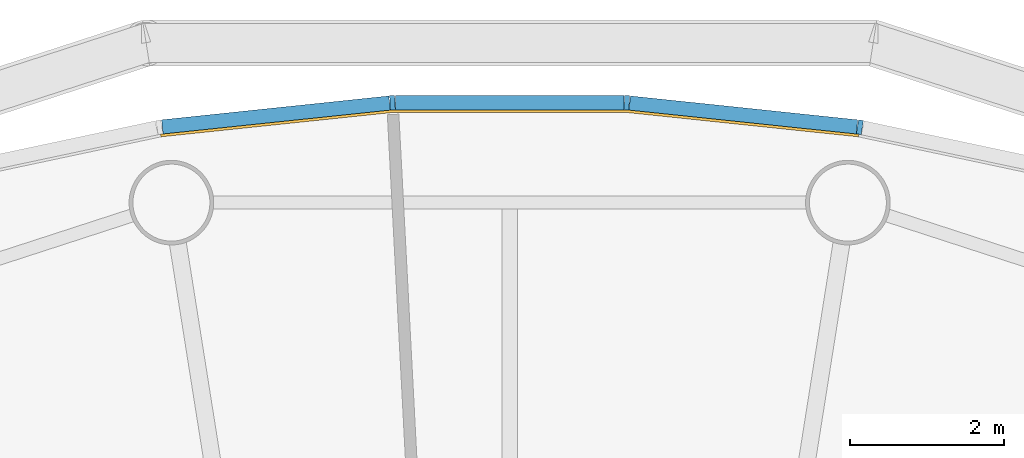
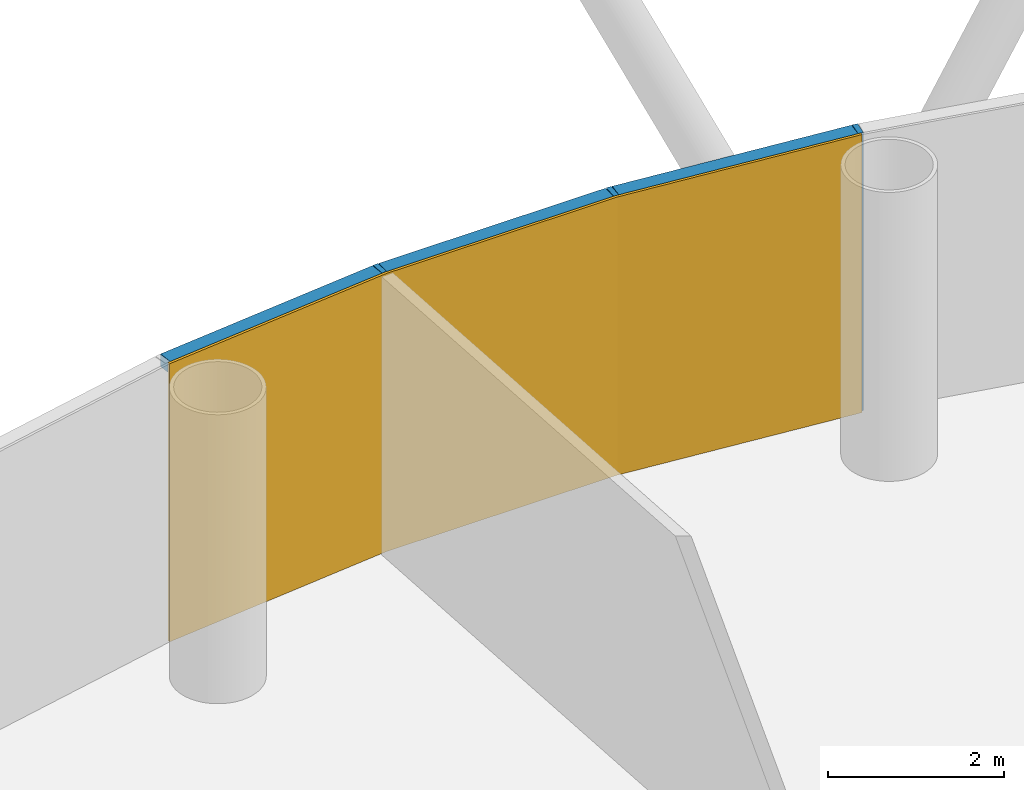
# One storey, part 11 of 13: 6 members, 1 curtain wall.
"""IFC4 building model written with IfcOpenShell, lengths in metres."""

from ifc_helpers import new_model, si_unit, direction, frame, origin, origin_2d, place, context, subcontext, project, spatial, polyline, rectangle, outline, extrude, material, layer, layer_set, material_profile, profile_set, type_object, element, aggregate, save


model = new_model("IFC4")

# Units and contexts
model_context = context("Model", 3, precision=1e-05, world=origin(), true_north=direction((0.0, 1.0)))
body_context = subcontext(model_context, "Body", "Model", "MODEL_VIEW")
ifc_project = project(units=[si_unit("LENGTHUNIT", "METRE"), si_unit("AREAUNIT", "SQUARE_METRE"), si_unit("VOLUMEUNIT", "CUBIC_METRE"), si_unit("PLANEANGLEUNIT", "RADIAN"), si_unit("MASSUNIT", "GRAM", prefix="KILO")], contexts=[model_context])

# Member
ifc_material_1 = material(Name="Anodised aluminium", Category="aluminium")
ifc_material_profile_1 = material_profile(ifc_material_1, rectangle(XDim=0.06494140625, YDim=0.18505859375, at=origin_2d()), Name="Mullion 65 x 185 mm anodised aluminium")
ifc_profile_set_1 = profile_set([ifc_material_profile_1], Name="Anodised aluminium")
member_type_1 = type_object("IfcMemberType", Name="Mullion 65 x 185 mm anodised aluminium", PredefinedType="MULLION", material=ifc_profile_set_1)
site_placement = place(None, origin())
building_placement = place(site_placement, origin())
storey_placement = place(building_placement, frame((0.0, 0.0, 180.0)))
member_1_placement = place(storey_placement, frame((94.551025390625, 108.734375, 0.0), z_axis=(0.0, 0.0, 1.0), x_axis=(-0.987688340595, 0.15643446504, 0.0)))
member_1 = element("IfcMember", 1, at=member_1_placement, type_object=member_type_1, Name="MULLION L41-12", PredefinedType="MULLION", context=body_context, shape_type="SweptSolid", body=[
    extrude(rectangle(XDim=0.06494140625, YDim=0.18505859375, at=origin_2d()), origin(), (0.0, 0.0, 1.0), 3.85009765625),
])

member_2_placement = place(storey_placement, frame((91.522705078125, 109.052734375, 0.0), z_axis=(0.0, 0.0, 1.0), x_axis=(-0.998629534755, 0.052335956243, 0.0)))
member_2 = element("IfcMember", 2, at=member_2_placement, type_object=member_type_1, Name="MULLION L41-13", PredefinedType="MULLION", context=body_context, shape_type="SweptSolid", body=[
    extrude(rectangle(XDim=0.06494140625, YDim=0.18505859375, at=origin_2d()), origin(), (0.0, 0.0, 1.0), 3.85009765625),
])

member_3_placement = place(storey_placement, frame((88.477294921875, 109.052734375, 0.0), z_axis=(0.0, 0.0, 1.0), x_axis=(-0.998629534755, -0.052335956243, 0.0)))
member_3 = element("IfcMember", 3, at=member_3_placement, type_object=member_type_1, Name="MULLION L41-14", PredefinedType="MULLION", context=body_context, shape_type="SweptSolid", body=[
    extrude(rectangle(XDim=0.06494140625, YDim=0.18505859375, at=origin_2d()), origin(), (0.0, 0.0, 1.0), 3.85009765625),
])

ifc_material_2 = material(Name="Anodised aluminium", Category="aluminium")
ifc_material_profile_2 = material_profile(ifc_material_2, rectangle(XDim=0.18505859375, YDim=0.175048828125, at=origin_2d()), Name="Transom 175 x 185 mm anodised aluminium")
ifc_profile_set_2 = profile_set([ifc_material_profile_2], Name="Anodised aluminium")
member_type_2 = type_object("IfcMemberType", Name="Transom 175 x 185 mm anodised aluminium", PredefinedType="USERDEFINED", material=ifc_profile_set_2)
member_4_placement = place(storey_placement, frame((94.513916015625, 108.73828125, 3.762451171875), z_axis=(-0.994519855197, 0.104547872381, 0.0), x_axis=(-0.104547872381, -0.994519855197, 0.0)))
member_4 = element("IfcMember", 4, at=member_4_placement, type_object=member_type_2, Name="TRANSOM L41-12", ObjectType="TRANSOM", PredefinedType="USERDEFINED", context=body_context, shape_type="SweptSolid", body=[
    extrude(rectangle(XDim=0.18505859375, YDim=0.175048828125, at=origin_2d()), origin(), (0.0, 0.0, 1.0), 2.970458984375),
])

member_5_placement = place(storey_placement, frame((91.4853515625, 109.052734375, 3.762451171875), z_axis=(-1.0, 0.0, 0.0), x_axis=(0.0, -1.0, 0.0)))
member_5 = element("IfcMember", 5, at=member_5_placement, type_object=member_type_2, Name="TRANSOM L41-13", ObjectType="TRANSOM", PredefinedType="USERDEFINED", context=body_context, shape_type="SweptSolid", body=[
    extrude(rectangle(XDim=0.18505859375, YDim=0.175048828125, at=origin_2d()), origin(), (0.0, 0.0, 1.0), 2.970703125),
])

member_6_placement = place(storey_placement, frame((88.440185546875, 109.048828125, 3.762451171875), z_axis=(-0.994519855197, -0.104547872381, 0.0), x_axis=(0.104547872381, -0.994519855197, 0.0)))
member_6 = element("IfcMember", 6, at=member_6_placement, type_object=member_type_2, Name="TRANSOM L41-14", ObjectType="TRANSOM", PredefinedType="USERDEFINED", context=body_context, shape_type="SweptSolid", body=[
    extrude(rectangle(XDim=0.18505859375, YDim=0.175048828125, at=origin_2d()), origin(), (0.0, 0.0, 1.0), 2.970458984375),
])

# Site, building, storey
site = spatial("IfcSite", under=ifc_project, at=site_placement, CompositionType="ELEMENT")
building = spatial("IfcBuilding", under=site, at=building_placement, Name="Entoto Ring Tower", CompositionType="ELEMENT")
storey = spatial("IfcBuildingStorey", under=building, at=storey_placement, Name="L41", CompositionType="ELEMENT", Elevation=180.0)

# Curtain wall
ifc_material_3 = material(Name="Clear low-iron glass", Category="glass")
ifc_layer = layer(ifc_material_3, 0.033935546875)
ifc_layer_set = layer_set([ifc_layer], Name="Clear low-iron glass")
curtain_wall_type = type_object("IfcCurtainWallType", Name="Curtain wall system CW3 glazing 34 mm", PredefinedType="NOTDEFINED", material=ifc_layer_set)
curtain_wall_placement = place(storey_placement, origin())
curtain_wall = element("IfcCurtainWall", 7, at=curtain_wall_placement, inside=storey, type_object=curtain_wall_type, Name="CW3 L41-05", PredefinedType="NOTDEFINED", context=body_context, shape_type="SweptSolid", body=[
    extrude(outline(polyline([(94.53662109375, 108.64306640625), (91.517822265625, 108.960205078125), (88.482177734375, 108.960205078125), (85.46337890625, 108.64306640625), (85.46875, 108.609375), (88.484130859375, 108.92626953125), (91.515869140625, 108.92626953125), (94.53125, 108.609375), (94.53662109375, 108.64306640625)])), origin(), (0.0, 0.0, 1.0), 3.85009765625),
])

aggregate(curtain_wall, [member_1, member_2, member_3, member_4, member_5, member_6])

save(model, "model.ifc")
